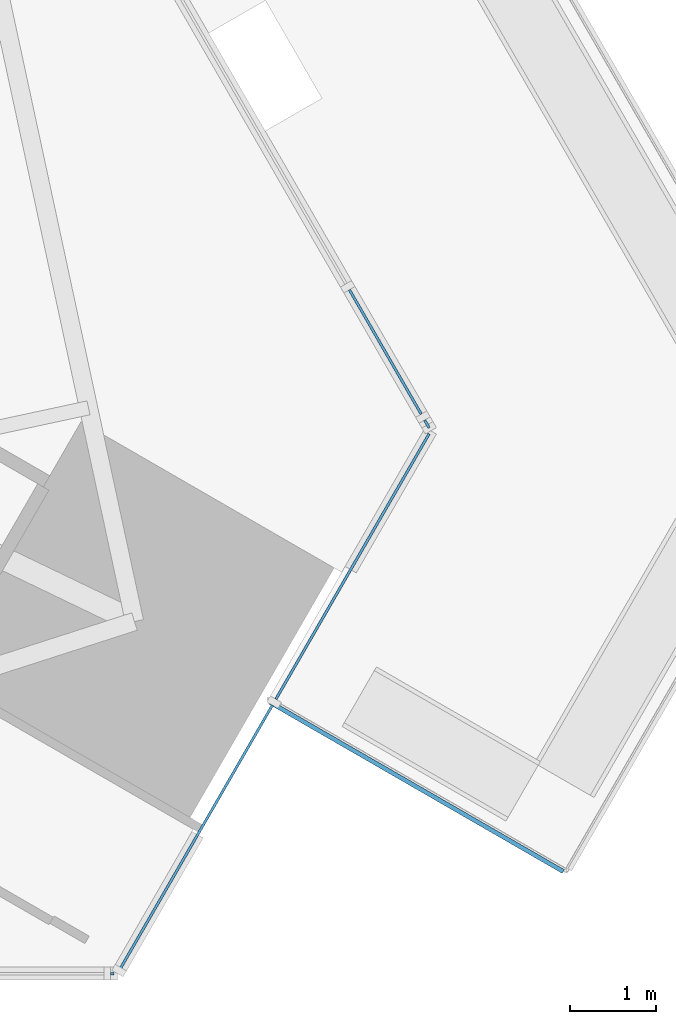
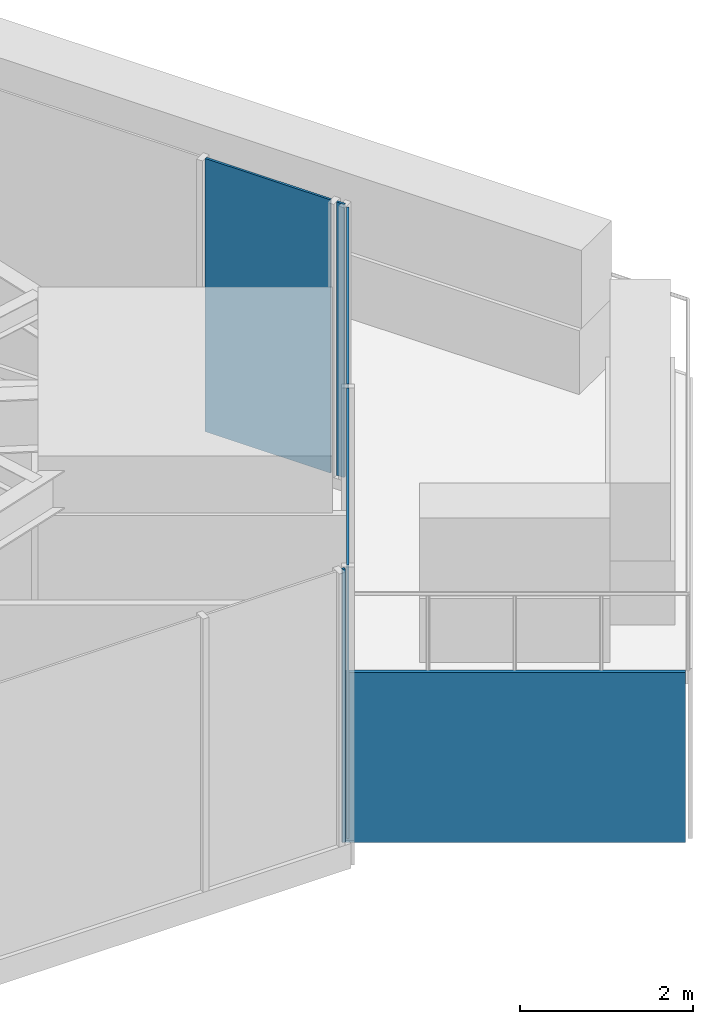
# One storey, part 15 of 29: 6 plates, 3 elements without a shape of their own.
"""IFC4 building model written with IfcOpenShell, lengths in metres."""

from ifc_helpers import new_model, si_unit, direction, frame, origin, place, context, subcontext, project, spatial, polyline, outline, extrude, material, layer, layer_set, type_object, element, aggregate, save


model = new_model("IFC4")

# Units and contexts
model_context = context("Model", 3, precision=1e-05, world=origin(), true_north=direction((0.0, 1.0)))
body_context = subcontext(model_context, "Body", "Model", "MODEL_VIEW")
ifc_project = project(units=[si_unit("LENGTHUNIT", "METRE"), si_unit("AREAUNIT", "SQUARE_METRE"), si_unit("VOLUMEUNIT", "CUBIC_METRE"), si_unit("PLANEANGLEUNIT", "RADIAN"), si_unit("MASSUNIT", "GRAM", prefix="KILO")], contexts=[model_context])

# Site, building, storey
site_placement = place(None, origin())
site = spatial("IfcSite", under=ifc_project, at=site_placement, CompositionType="ELEMENT")
building_placement = place(site_placement, origin())
building = spatial("IfcBuilding", under=site, at=building_placement, Name="Firuza Gate Tower and Library", CompositionType="ELEMENT")
storey_placement = place(building_placement, frame((0.0, 0.0, 82.0)))
storey = spatial("IfcBuildingStorey", under=building, at=storey_placement, Name="L18", CompositionType="ELEMENT", Elevation=82.0)

# Curtain wall, plates
ifc_material_1 = material(Name="Aluminium 6063-T6", Category="aluminium")
ifc_layer_1 = layer(ifc_material_1, 0.14990234375)
ifc_layer_set_1 = layer_set([ifc_layer_1], Name="Corner curtain wall, chamfers")
curtain_wall_type_1 = type_object("IfcCurtainWallType", Name="Corner curtain wall, chamfers", PredefinedType="NOTDEFINED", material=ifc_layer_set_1)
placement = place(storey_placement, origin())
curtain_wall_1 = element("IfcCurtainWall", 1, at=placement, inside=storey, type_object=curtain_wall_type_1, Name="CW4 L18 SE corner", PredefinedType="NOTDEFINED")
ifc_material_2 = material(Name="Fritted glass", Category="glass")
ifc_layer_2 = layer(ifc_material_2, 0.030029296875)
ifc_layer_set_2 = layer_set([ifc_layer_2], Name="Fritted glass unit, corners")
plate_type_1 = type_object("IfcPlateType", Name="Fritted glass unit, corners", PredefinedType="CURTAIN_PANEL", material=ifc_layer_set_2)
plate_1_placement = place(storey_placement, frame((103.384765625, 54.451416015625, 0.14990234375), z_axis=(0.866046390552, -0.49996364809, 0.0), x_axis=(0.49996364809, 0.866046390552, 0.0)))
plate_1 = element("IfcPlate", 2, at=plate_1_placement, type_object=plate_type_1, Name="Glass unit", PredefinedType="CURTAIN_PANEL", context=body_context, shape_type="SweptSolid", body=[
    extrude(outline(polyline([(0.0, 0.0), (3.563247342942594, 0.0), (3.563247342942594, 3.85009765625), (0.0, 3.85009765625), (0.0, 0.0)])), origin(), (0.0, 0.0, -1.0), 0.030029296875),
])
plate_2_placement = place(storey_placement, frame((105.206298828125, 57.6064453125, 0.14990234375), z_axis=(0.866016723041, -0.500015035186, 0.0), x_axis=(0.500015035186, 0.866016723041, 0.0)))
plate_2 = element("IfcPlate", 3, at=plate_2_placement, type_object=plate_type_1, Name="Glass unit", PredefinedType="CURTAIN_PANEL", context=body_context, shape_type="SweptSolid", body=[
    extrude(outline(polyline([(0.0, 0.0), (3.5633694106530625, 0.0), (3.5633694106530625, 3.85009765625), (0.0, 3.85009765625), (0.0, 0.0)])), origin(), (0.0, 0.0, -1.0), 0.030029296875),
])
aggregate(curtain_wall_1, [plate_1, plate_2])

# Curtain wall, plate
ifc_material_3 = material(Name="Aluminium 6063-T6", Category="aluminium")
ifc_layer_3 = layer(ifc_material_3, 0.14990234375)
ifc_layer_set_3 = layer_set([ifc_layer_3], Name="Unitised curtain wall, offices")
curtain_wall_type_2 = type_object("IfcCurtainWallType", Name="Unitised curtain wall, offices", PredefinedType="NOTDEFINED", material=ifc_layer_set_3)
curtain_wall_2 = element("IfcCurtainWall", 4, at=placement, inside=storey, type_object=curtain_wall_type_2, Name="CW1 L18 E face", PredefinedType="NOTDEFINED")
ifc_material_4 = material(Name="Fritted glass", Category="glass")
ifc_layer_4 = layer(ifc_material_4, 0.030029296875)
ifc_layer_set_4 = layer_set([ifc_layer_4], Name="Fritted glass unit, offices")
plate_type_2 = type_object("IfcPlateType", Name="Fritted glass unit, offices", PredefinedType="CURTAIN_PANEL", material=ifc_layer_set_4)
plate_3_placement = place(storey_placement, frame((106.896240234375, 60.935791015625, 0.14990234375), z_axis=(0.866029728377, 0.499992509511, 0.0), x_axis=(-0.499992509511, 0.866029728377, 0.0)))
plate_3 = element("IfcPlate", 5, at=plate_3_placement, type_object=plate_type_2, Name="Glass unit", PredefinedType="CURTAIN_PANEL", context=body_context, shape_type="SweptSolid", body=[
    extrude(outline(polyline([(0.0, 0.0), (1.669458603873834, 0.0), (1.669458603873834, 3.850097656250001), (0.0, 3.850097656250001), (0.0, 0.0)])), origin(), (0.0, 0.0, -1.0), 0.030029296875),
])

curtain_wall_3 = element("IfcCurtainWall", 6, at=placement, inside=storey, type_object=curtain_wall_type_2, Name="CW1 L18 S face", PredefinedType="NOTDEFINED")
ifc_material_5 = material(Name="Glazed ceramic tile")
ifc_layer_5 = layer(ifc_material_5, 0.030029296875)
ifc_layer_set_5 = layer_set([ifc_layer_5], Name="Opaque ceramic panel, offices")
plate_type_3 = type_object("IfcPlateType", Name="Opaque ceramic panel, offices", PredefinedType="CURTAIN_PANEL", material=ifc_layer_set_5)
plate_4_placement = place(storey_placement, frame((103.273193359375, 54.4091796875, 0.14990234375), z_axis=(0.0, -1.0, 0.0), x_axis=(1.0, 0.0, 0.0)))
plate_4 = element("IfcPlate", 7, at=plate_4_placement, type_object=plate_type_3, Name="Opaque ceramic panel", PredefinedType="CURTAIN_PANEL", context=body_context, shape_type="SweptSolid", body=[
    extrude(outline(polyline([(0.0, 0.0), (0.03857421875, 0.0), (0.03857421875, 3.85009765625), (0.0, 3.85009765625), (0.0, 0.0)])), origin(), (0.0, 0.0, -1.0), 0.030029296875),
])
aggregate(curtain_wall_3, [plate_4])

# Plate
plate_5_placement = place(storey_placement, frame((106.988037109375, 60.776611328125, 0.14990234375), z_axis=(0.866499015963, 0.499178780935, 0.0), x_axis=(-0.499178780935, 0.866499015963, 0.0)))
plate_5 = element("IfcPlate", 8, at=plate_5_placement, type_object=plate_type_3, Name="Opaque ceramic panel", PredefinedType="CURTAIN_PANEL", context=body_context, shape_type="SweptSolid", body=[
    extrude(outline(polyline([(0.0, 0.0), (0.10368592271300699, 0.0), (0.10368592271300699, 3.85009765625), (0.0, 3.85009765625), (0.0, 0.0)])), origin(), (0.0, 0.0, -1.0), 0.030029296875),
])

aggregate(curtain_wall_2, [plate_5, plate_3])

ifc_material_6 = material(Name="Aluminium 6063-T6", Category="aluminium")
ifc_layer_6 = layer(ifc_material_6, 0.050048828125)
ifc_layer_set_6 = layer_set([ifc_layer_6], Name="Tray fascia panel 50")
plate_type_4 = type_object("IfcPlateType", Name="Tray fascia panel 50", PredefinedType="SHEET", material=ifc_layer_set_6)
plate_6_placement = place(storey_placement, frame((105.10888671875, 57.55908203125, -2.39990234375), z_axis=(-0.499890491397, -0.866088619375, 0.0), x_axis=(0.866088619375, -0.499890491397, 0.0)))
element("IfcPlate", 9, at=plate_6_placement, inside=storey, type_object=plate_type_4, Name="Tray fascia L18 10", PredefinedType="SHEET", context=body_context, shape_type="SweptSolid", body=[
    extrude(outline(polyline([(0.0, 0.0), (3.9408045102403975, 0.0), (3.9408045102403975, 2.39990234375), (0.0, 2.39990234375), (0.0, 0.0)])), origin(), (0.0, 0.0, -1.0), 0.050048828125),
])

save(model, "model.ifc")
